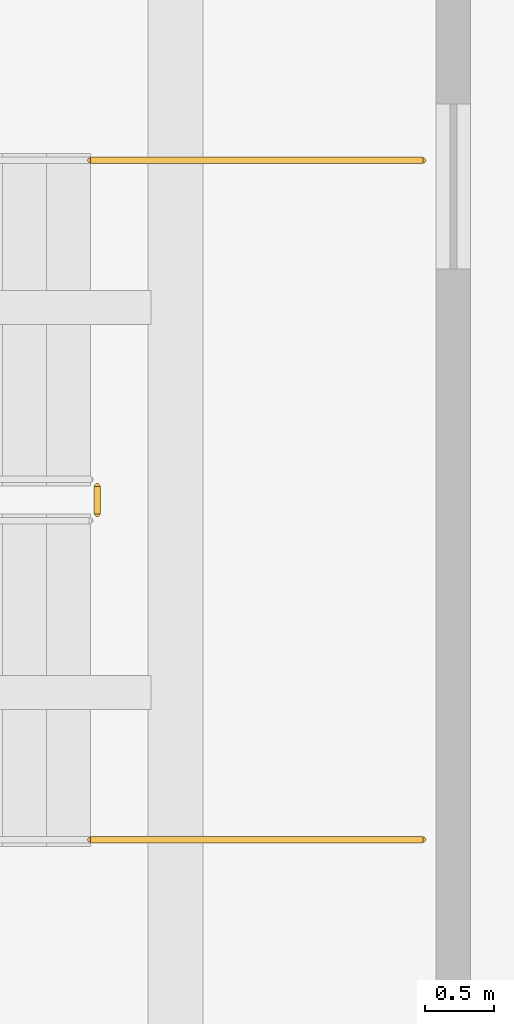
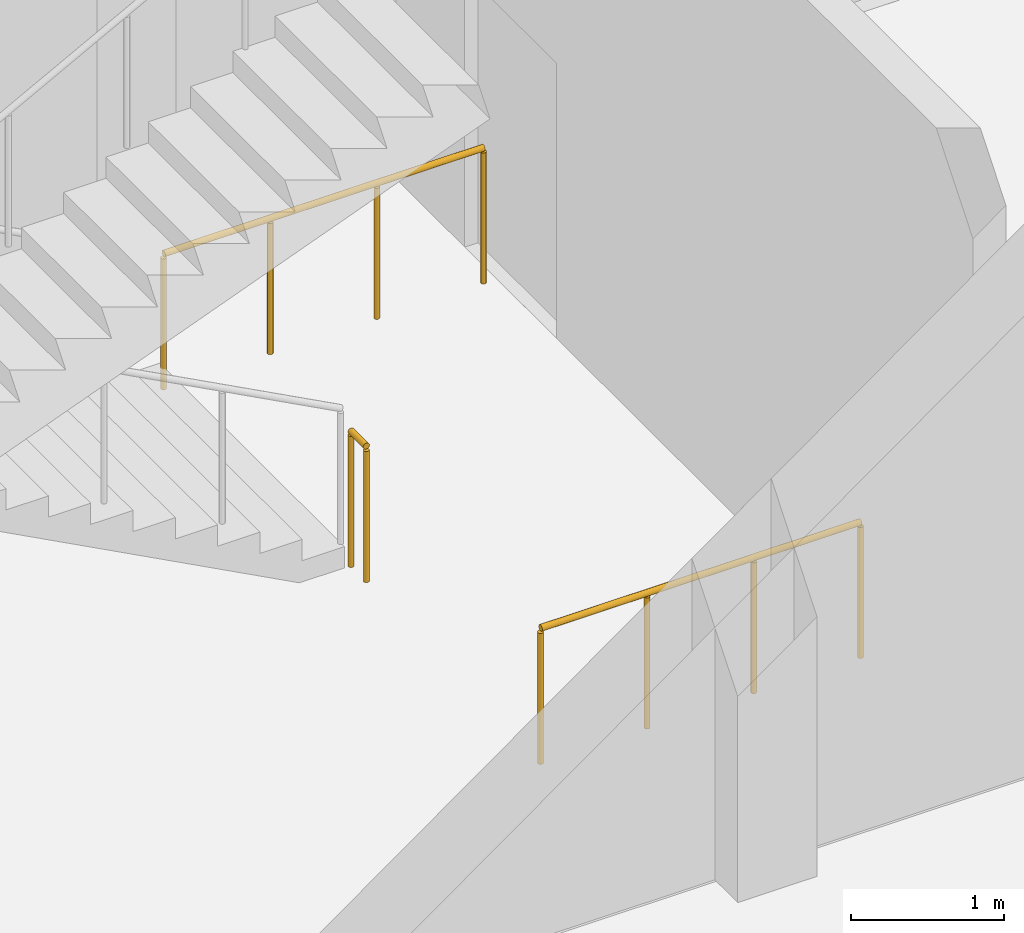
# One storey, part 56 of 64: 3 railings.
"""IFC4 building model written with IfcOpenShell, lengths in metres."""

from ifc_helpers import new_model, si_unit, derived_unit, direction, frame, origin, origin_2d, place, context, subcontext, project, spatial, circle, extrude, material, type_object, element, save


model = new_model("IFC4")

# Units and contexts
model_context = context("Model", 3, precision=1e-05, world=origin(), true_north=direction((0.0, 1.0)))
body_context = subcontext(model_context, "Body", "Model", "MODEL_VIEW")
ifc_project = project(units=[si_unit("LENGTHUNIT", "METRE"), si_unit("AREAUNIT", "SQUARE_METRE"), si_unit("VOLUMEUNIT", "CUBIC_METRE"), si_unit("PLANEANGLEUNIT", "RADIAN"), si_unit("MASSUNIT", "GRAM", prefix="KILO"), derived_unit("THERMALTRANSMITTANCEUNIT", [(si_unit("POWERUNIT", "WATT"), 1), (si_unit("LENGTHUNIT", "METRE"), -2), (si_unit("THERMODYNAMICTEMPERATUREUNIT", "KELVIN"), -1)])], contexts=[model_context])

# Site, building, storey
site_placement = place(None, origin())
site = spatial("IfcSite", under=ifc_project, at=site_placement, CompositionType="ELEMENT")
building_placement = place(site_placement, origin())
building = spatial("IfcBuilding", under=site, at=building_placement, Name="Elbkamm Science Centre", CompositionType="ELEMENT")
storey_placement = place(building_placement, origin())
storey = spatial("IfcBuildingStorey", under=building, at=storey_placement, Name="L00", CompositionType="ELEMENT", Elevation=0.0)

# Railings
ifc_material = material(Name="Stainless steel EN 1.4401", Category="steel")
railing_type = type_object("IfcRailingType", Name="RAIL-GUARD-1100", PredefinedType="GUARDRAIL", material=ifc_material)
railing_placement = place(storey_placement, frame((49.830078125, 37.89990234375, 0.0)))
element("IfcRailing", 1, at=railing_placement, inside=storey, type_object=railing_type, Name="L00 ST-C5 stair guard 7", PredefinedType="GUARDRAIL", context=body_context, shape_type="SweptSolid", body=[
    extrude(circle(Radius=0.02392578125, at=origin_2d()), frame((0.0, 0.0, 1.078125), z_axis=(0.0, -1.0, 0.0), x_axis=(1.0, 0.0, 0.0)), (0.0, 0.0, 1.0), 0.199951171875),
    extrude(circle(Radius=0.02001953125, at=origin_2d()), origin(), (0.0, 0.0, 1.0), 1.048095703125),
    extrude(circle(Radius=0.02001953125, at=origin_2d()), frame((0.0, -0.199951171875, 0.0)), (0.0, 0.0, 1.0), 1.048095703125),
])
for number, where, name in (
    (2, (52.199951171875, 40.27001953125, 0.0), "L00 ST-C5 stair guard 8"),
    (3, (52.199951171875, 35.330078125, 0.0), "L00 ST-C5 stair guard 9"),
):
    element("IfcRailing", number, at=place(storey_placement, frame(where)), inside=storey, type_object=railing_type, Name=name, PredefinedType="GUARDRAIL", context=body_context, shape_type="SweptSolid", body=[
        extrude(circle(Radius=0.02392578125, at=origin_2d()), frame((0.0, 0.0, 1.078125), z_axis=(-1.0, 0.0, 0.0), x_axis=(0.0, -1.0, 0.0)), (0.0, 0.0, 1.0), 2.419921875),
        extrude(circle(Radius=0.02001953125, at=origin_2d()), origin(), (0.0, 0.0, 1.0), 1.048095703125),
        extrude(circle(Radius=0.02001953125, at=origin_2d()), frame((-0.806640625, 0.0, 0.0)), (0.0, 0.0, 1.0), 1.048095703125),
        extrude(circle(Radius=0.02001953125, at=origin_2d()), frame((-1.61328125, 0.0, 0.0)), (0.0, 0.0, 1.0), 1.048095703125),
        extrude(circle(Radius=0.02001953125, at=origin_2d()), frame((-2.419921875, 0.0, 0.0)), (0.0, 0.0, 1.0), 1.048095703125),
    ])

save(model, "model.ifc")
